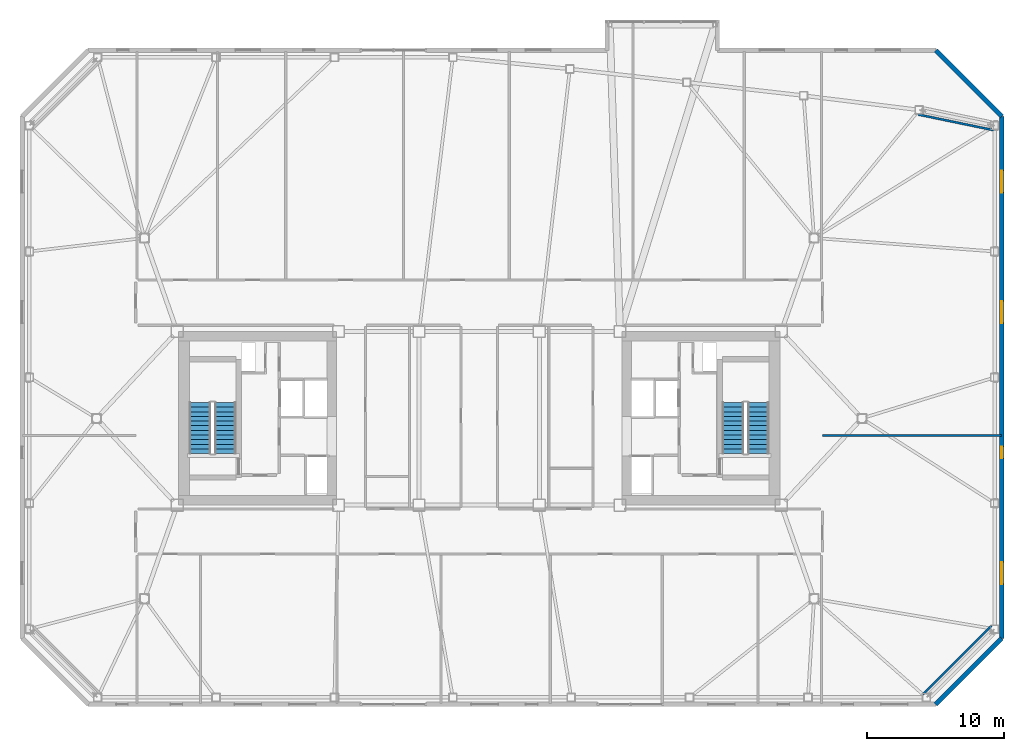
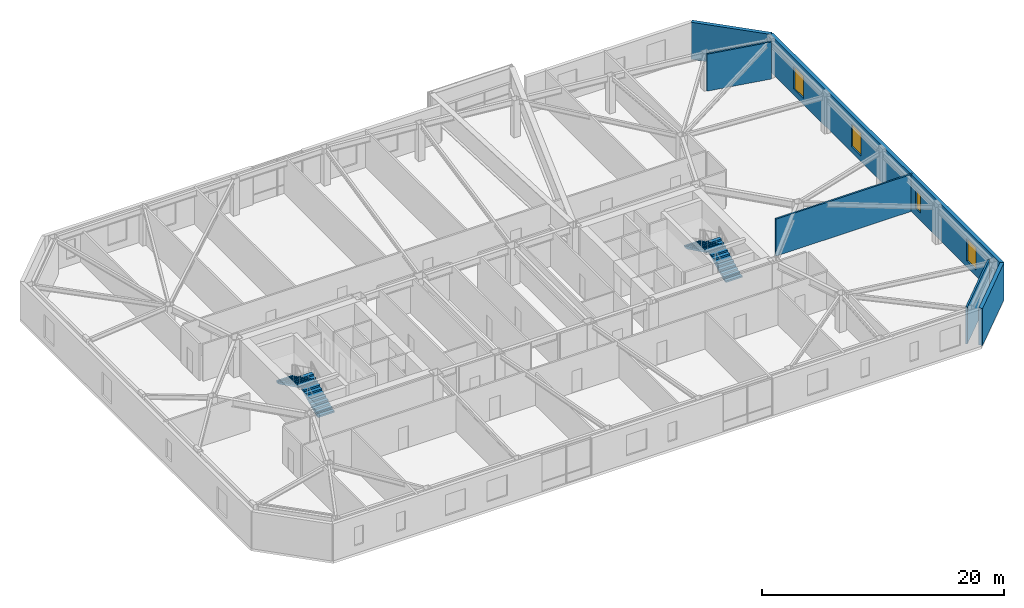
# One storey, part 16 of 20: 6 walls, 4 stair flights, 4 windows, 4 openings, 2 elements without a shape of their own.
"""IFC4 building model written with IfcOpenShell, lengths in metres."""

from ifc_helpers import new_model, si_unit, direction, frame, frame_2d, origin, place, context, subcontext, project, spatial, polyline, rectangle, outline, extrude, material, layer, layer_set, type_object, element, fill, aggregate, save


model = new_model("IFC4")

# Units and contexts
model_context = context("Model", 3, precision=1e-05, world=origin(), true_north=direction((0.0, 1.0)))
body_context = subcontext(model_context, "Body", "Model", "MODEL_VIEW")
ifc_project = project(units=[si_unit("LENGTHUNIT", "METRE"), si_unit("AREAUNIT", "SQUARE_METRE"), si_unit("VOLUMEUNIT", "CUBIC_METRE"), si_unit("PLANEANGLEUNIT", "RADIAN"), si_unit("MASSUNIT", "GRAM", prefix="KILO")], contexts=[model_context])

# Site, building, storey
site_placement = place(None, origin())
site = spatial("IfcSite", under=ifc_project, at=site_placement, CompositionType="ELEMENT")
building_placement = place(site_placement, origin())
building = spatial("IfcBuilding", under=site, at=building_placement, Name="Tavrogorsk Clinical Tower", CompositionType="ELEMENT")
storey_placement = place(building_placement, frame((0.0, 0.0, 176.199951171875)))
storey = spatial("IfcBuildingStorey", under=building, at=storey_placement, Name="L40", CompositionType="ELEMENT", Elevation=176.199951171875)

# Walls
ifc_material_1 = material(Name="Lightweight concrete blockwork B15", Category="masonry")
ifc_layer_1 = layer(ifc_material_1, 0.159912109375)
ifc_layer_set_1 = layer_set([ifc_layer_1], Name="Lightweight concrete blockwork B15")
wall_type_1 = type_object("IfcWallType", Name="PartitionWall_160", PredefinedType="PARTITIONING", material=ifc_layer_set_1)
wall_1_placement = place(storey_placement, frame((32.4794921875, -20.1796875, 0.0), z_axis=(0.0, 0.0, 1.0), x_axis=(0.707106781187, 0.707106781187, 0.0)))
element("IfcWall", 1, at=wall_1_placement, inside=storey, type_object=wall_type_1, Name="L40 Corner Exoskeleton Brace Furring Wall 1", PredefinedType="PARTITIONING", context=body_context, shape_type="SweptSolid", body=[
    extrude(rectangle(XDim=7.071044921875, YDim=0.159912109375, at=frame_2d((3.53564453125, 0.0))), origin(), (0.0, 0.0, 1.0), 3.739990234375),
])
wall_2_placement = place(storey_placement, frame((37.65087890625, 21.0869140625, 0.0), z_axis=(0.0, 0.0, 1.0), x_axis=(-0.979184618318, 0.202971631636, 0.0)))
element("IfcWall", 2, at=wall_2_placement, inside=storey, type_object=wall_type_1, Name="L40 Corner Exoskeleton Brace Furring Wall 2", PredefinedType="PARTITIONING", context=body_context, shape_type="SweptSolid", body=[
    extrude(rectangle(XDim=5.64599609375, YDim=0.159912109375, at=frame_2d((2.822998046875, 0.0))), origin(), (0.0, 0.0, 1.0), 3.739990234375),
])
wall_3_placement = place(storey_placement, frame((25.1298828125, -1.25, 0.0), z_axis=(0.0, 0.0, 1.0), x_axis=(1.0, 0.0, 0.0)))
element("IfcWall", 3, at=wall_3_placement, inside=storey, type_object=wall_type_1, Name="L40 E Wing Divider 1", PredefinedType="PARTITIONING", context=body_context, shape_type="SweptSolid", body=[
    extrude(rectangle(XDim=13.080078125, YDim=0.159912109375, at=frame_2d((6.5400390625, 0.0))), origin(), (0.0, 0.0, 1.0), 3.739990234375),
])

# Wall, openings, windows
ifc_material_2 = material(Name="Precast concrete B45 with limestone cladding", Category="masonry")
ifc_layer_2 = layer(ifc_material_2, 0.340087890625)
ifc_layer_set_2 = layer_set([ifc_layer_2], Name="Precast concrete B45 with limestone cladding")
wall_type_2 = type_object("IfcWallType", Name="PrecastLimestoneWall_340", PredefinedType="STANDARD", material=ifc_layer_set_2)
wall_4_placement = place(storey_placement, frame((38.22998046875, -16.10009765625, 0.0), z_axis=(0.0, 0.0, 1.0), x_axis=(0.0, 1.0, 0.0)))
wall_4 = element("IfcWall", 4, at=wall_4_placement, inside=storey, type_object=wall_type_2, Name="L40 E Pleated Limestone Wing Wall", PredefinedType="STANDARD", context=body_context, shape_type="SweptSolid", body=[
    extrude(rectangle(XDim=38.2001953125, YDim=0.340087890625, at=frame_2d((19.10009765625, 0.0))), origin(), (0.0, 0.0, 1.0), 3.739990234375),
])
opening_1_placement = place(wall_4_placement, frame((3.97509765625, 0.0, 0.580078125)))
opening_1 = element("IfcOpeningElement", 5, at=opening_1_placement, cuts=wall_4, Name="Opening WN-07", PredefinedType="OPENING", context=body_context, shape_type="SweptSolid", body=[
    extrude(rectangle(XDim=1.60009765625, YDim=2.300048828125, at=frame_2d((0.800048828125, 1.14990234375))), frame((0.0, 0.179931640625, 0.0), z_axis=(0.0, -1.0, 0.0), x_axis=(1.0, 0.0, 0.0)), (0.0, 0.0, 1.0), 0.360107421875),
])
opening_2_placement = place(wall_4_placement, frame((13.175048828125, 0.0, 0.75)))
opening_2 = element("IfcOpeningElement", 6, at=opening_2_placement, cuts=wall_4, Name="Opening WN-06", PredefinedType="OPENING", context=body_context, shape_type="SweptSolid", body=[
    extrude(rectangle(XDim=0.85009765625, YDim=1.85009765625, at=frame_2d((0.425048828125, 0.925048828125))), frame((0.0, 0.179931640625, 0.0), z_axis=(0.0, -1.0, 0.0), x_axis=(1.0, 0.0, 0.0)), (0.0, 0.0, 1.0), 0.360107421875),
])
opening_3_placement = place(wall_4_placement, frame((23.074951171875, 0.0, 0.580078125)))
opening_3 = element("IfcOpeningElement", 7, at=opening_3_placement, cuts=wall_4, Name="Opening WN-07", PredefinedType="OPENING", context=body_context, shape_type="SweptSolid", body=[
    extrude(rectangle(XDim=1.60009765625, YDim=2.300048828125, at=frame_2d((0.800048828125, 1.14990234375))), frame((0.0, 0.179931640625, 0.0), z_axis=(0.0, -1.0, 0.0), x_axis=(1.0, 0.0, 0.0)), (0.0, 0.0, 1.0), 0.360107421875),
])
opening_4_placement = place(wall_4_placement, frame((32.625, 0.0, 0.580078125)))
opening_4 = element("IfcOpeningElement", 8, at=opening_4_placement, cuts=wall_4, Name="Opening WN-07", PredefinedType="OPENING", context=body_context, shape_type="SweptSolid", body=[
    extrude(rectangle(XDim=1.60009765625, YDim=2.300048828125, at=frame_2d((0.800048828125, 1.14990234375))), frame((0.0, 0.179931640625, 0.0), z_axis=(0.0, -1.0, 0.0), x_axis=(1.0, 0.0, 0.0)), (0.0, 0.0, 1.0), 0.360107421875),
])
ifc_material_3 = material(Name="Thermally broken aluminium frame and triple IGU", Category="aluminium")
window_type_1 = type_object("IfcWindowType", Name="MullionSubWin_850x1850", PartitioningType="SINGLE_PANEL", PredefinedType="WINDOW", material=ifc_material_3)
window_1_placement = place(opening_2_placement, origin())
window_1 = element("IfcWindow", 9, at=window_1_placement, inside=storey, type_object=window_type_1, Name="L40 E Pleat Mullion Window 2A", OverallHeight=1.85009765625, OverallWidth=0.85009765625, PartitioningType="SINGLE_PANEL", PredefinedType="WINDOW", context=body_context, shape_type="SweptSolid", body=[
    extrude(rectangle(XDim=0.85009765625, YDim=1.85009765625, at=frame_2d((0.425048828125, 0.925048828125))), frame((0.0, 0.030029296875, 0.0), z_axis=(0.0, -1.0, 0.0), x_axis=(1.0, 0.0, 0.0)), (0.0, 0.0, 1.0), 0.06005859375),
])
fill(opening_2, window_1)
ifc_material_4 = material(Name="Thermally broken aluminium frame and triple IGU", Category="aluminium")
window_type_2 = type_object("IfcWindowType", Name="PleatSlotWin_1600x2300", PartitioningType="SINGLE_PANEL", PredefinedType="WINDOW", material=ifc_material_4)
window_2_placement = place(opening_1_placement, origin())
window_2 = element("IfcWindow", 10, at=window_2_placement, inside=storey, type_object=window_type_2, Name="L40 E Pleat Slot Window 1", OverallHeight=2.300048828125, OverallWidth=1.60009765625, PartitioningType="SINGLE_PANEL", PredefinedType="WINDOW", context=body_context, shape_type="SweptSolid", body=[
    extrude(rectangle(XDim=1.60009765625, YDim=2.300048828125, at=frame_2d((0.800048828125, 1.14990234375))), frame((0.0, 0.030029296875, 0.0), z_axis=(0.0, -1.0, 0.0), x_axis=(1.0, 0.0, 0.0)), (0.0, 0.0, 1.0), 0.06005859375),
])
fill(opening_1, window_2)
window_3_placement = place(opening_3_placement, origin())
window_3 = element("IfcWindow", 11, at=window_3_placement, inside=storey, type_object=window_type_2, Name="L40 E Pleat Slot Window 3", OverallHeight=2.300048828125, OverallWidth=1.60009765625, PartitioningType="SINGLE_PANEL", PredefinedType="WINDOW", context=body_context, shape_type="SweptSolid", body=[
    extrude(rectangle(XDim=1.60009765625, YDim=2.300048828125, at=frame_2d((0.800048828125, 1.14990234375))), frame((0.0, 0.030029296875, 0.0), z_axis=(0.0, -1.0, 0.0), x_axis=(1.0, 0.0, 0.0)), (0.0, 0.0, 1.0), 0.06005859375),
])
fill(opening_3, window_3)
window_4_placement = place(opening_4_placement, origin())
window_4 = element("IfcWindow", 12, at=window_4_placement, inside=storey, type_object=window_type_2, Name="L40 E Pleat Slot Window 4", OverallHeight=2.300048828125, OverallWidth=1.60009765625, PartitioningType="SINGLE_PANEL", PredefinedType="WINDOW", context=body_context, shape_type="SweptSolid", body=[
    extrude(rectangle(XDim=1.60009765625, YDim=2.300048828125, at=frame_2d((0.800048828125, 1.14990234375))), frame((0.0, 0.030029296875, 0.0), z_axis=(0.0, -1.0, 0.0), x_axis=(1.0, 0.0, 0.0)), (0.0, 0.0, 1.0), 0.06005859375),
])
fill(opening_4, window_4)

# Walls
for number, where, z_axis, x_axis, name in (
    (13, (33.39990234375, -20.929931640625, 0.0), (0.0, 0.0, 1.0), (0.707124652085, 0.707088909836, 0.0), "L40 Chamfered Corner Wall 1"),
    (14, (38.22998046875, 22.10009765625, 0.0), (0.0, 0.0, 1.0), (-0.707124652085, 0.707088909836, 0.0), "L40 Chamfered Corner Wall 2"),
):
    element("IfcWall", number, at=place(storey_placement, frame(where, z_axis=z_axis, x_axis=x_axis)), inside=storey, type_object=wall_type_2, Name=name, PredefinedType="STANDARD", context=body_context, shape_type="SweptSolid", body=[
        extrude(rectangle(XDim=6.83056640625, YDim=0.340087890625, at=frame_2d((3.415283203125, 0.0))), origin(), (0.0, 0.0, 1.0), 3.739990234375),
    ])

# Stair, stair flights
ifc_material_5 = material(Name="Concrete B60", Category="concrete")
stair_type = type_object("IfcStairType", Name="CoreStairAssembly", PredefinedType="HALF_TURN_STAIR", material=ifc_material_5)
stair_1_placement = place(storey_placement, origin())
stair_1 = element("IfcStair", 15, at=stair_1_placement, inside=storey, type_object=stair_type, Name="L40 ST-W", PredefinedType="HALF_TURN_STAIR")
ifc_material_6 = material(Name="Concrete B60", Category="concrete")
stair_flight_type = type_object("IfcStairFlightType", Name="CoreStairFlight", PredefinedType="STRAIGHT", material=ifc_material_6)
stair_flight_1_placement = place(storey_placement, frame((-18.574951171875, -2.574951171875, 0.0), z_axis=(0.0, 0.0, 1.0), x_axis=(0.0, 1.0, 0.0)))
stair_flight_1 = element("IfcStairFlight", 16, at=stair_flight_1_placement, type_object=stair_flight_type, Name="ST-W flight 1", NumberOfRisers=12, NumberOfTreads=11, PredefinedType="STRAIGHT", RiserHeight=0.166666667, TreadLength=0.34, context=body_context, shape_type="SweptSolid", body=[
    extrude(outline(polyline([(0.0, 0.0), (0.0, 0.166748046875), (0.340087890625, 0.166748046875), (0.340087890625, 0.333251953125), (0.679931640625, 0.333251953125), (0.679931640625, 0.5), (1.02001953125, 0.5), (1.02001953125, 0.666748046875), (1.360107421875, 0.666748046875), (1.360107421875, 0.833251953125), (1.699951171875, 0.833251953125), (1.699951171875, 1.0), (2.0400390625, 1.0), (2.0400390625, 1.166748046875), (2.3798828125, 1.166748046875), (2.3798828125, 1.333251953125), (2.719970703125, 1.333251953125), (2.719970703125, 1.5), (3.06005859375, 1.5), (3.06005859375, 1.666748046875), (3.39990234375, 1.666748046875), (3.39990234375, 1.833251953125), (3.739990234375, 1.833251953125), (3.739990234375, 2.0), (3.739990234375, 1.66650390625), (0.340576171875, 0.0), (0.0, 0.0)])), frame((0.0, 0.77490234375, 0.0), z_axis=(0.0, -1.0, 0.0), x_axis=(1.0, 0.0, 0.0)), (0.0, 0.0, 1.0), 1.550048828125),
])
stair_flight_2_placement = place(storey_placement, frame((-20.425048828125, 1.1650390625, 2.0), z_axis=(0.0, 0.0, 1.0), x_axis=(0.0, -1.0, 0.0)))
stair_flight_2 = element("IfcStairFlight", 17, at=stair_flight_2_placement, type_object=stair_flight_type, Name="ST-W flight 2", NumberOfRisers=12, NumberOfTreads=11, PredefinedType="STRAIGHT", RiserHeight=0.166666667, TreadLength=0.34, context=body_context, shape_type="SweptSolid", body=[
    extrude(outline(polyline([(0.0, 0.0), (0.0, 0.166748046875), (0.340087890625, 0.166748046875), (0.340087890625, 0.333251953125), (0.679931640625, 0.333251953125), (0.679931640625, 0.5), (1.02001953125, 0.5), (1.02001953125, 0.666748046875), (1.360107421875, 0.666748046875), (1.360107421875, 0.833251953125), (1.699951171875, 0.833251953125), (1.699951171875, 1.0), (2.0400390625, 1.0), (2.0400390625, 1.166748046875), (2.3798828125, 1.166748046875), (2.3798828125, 1.333251953125), (2.719970703125, 1.333251953125), (2.719970703125, 1.5), (3.06005859375, 1.5), (3.06005859375, 1.666748046875), (3.39990234375, 1.666748046875), (3.39990234375, 1.833251953125), (3.739990234375, 1.833251953125), (3.739990234375, 2.0), (3.739990234375, 1.66650390625), (0.340576171875, 0.0), (0.0, 0.0)])), frame((0.0, 0.77490234375, 0.0), z_axis=(0.0, -1.0, 0.0), x_axis=(1.0, 0.0, 0.0)), (0.0, 0.0, 1.0), 1.550048828125),
])
aggregate(stair_1, [stair_flight_1, stair_flight_2])

stair_2_placement = place(storey_placement, origin())
stair_2 = element("IfcStair", 18, at=stair_2_placement, inside=storey, type_object=stair_type, Name="L40 ST-E", PredefinedType="HALF_TURN_STAIR")
stair_flight_3_placement = place(storey_placement, frame((20.425048828125, -2.574951171875, 0.0), z_axis=(0.0, 0.0, 1.0), x_axis=(0.0, 1.0, 0.0)))
stair_flight_3 = element("IfcStairFlight", 19, at=stair_flight_3_placement, type_object=stair_flight_type, Name="ST-E flight 1", NumberOfRisers=12, NumberOfTreads=11, PredefinedType="STRAIGHT", RiserHeight=0.166666667, TreadLength=0.34, context=body_context, shape_type="SweptSolid", body=[
    extrude(outline(polyline([(0.0, 0.0), (0.0, 0.166748046875), (0.340087890625, 0.166748046875), (0.340087890625, 0.333251953125), (0.679931640625, 0.333251953125), (0.679931640625, 0.5), (1.02001953125, 0.5), (1.02001953125, 0.666748046875), (1.360107421875, 0.666748046875), (1.360107421875, 0.833251953125), (1.699951171875, 0.833251953125), (1.699951171875, 1.0), (2.0400390625, 1.0), (2.0400390625, 1.166748046875), (2.3798828125, 1.166748046875), (2.3798828125, 1.333251953125), (2.719970703125, 1.333251953125), (2.719970703125, 1.5), (3.06005859375, 1.5), (3.06005859375, 1.666748046875), (3.39990234375, 1.666748046875), (3.39990234375, 1.833251953125), (3.739990234375, 1.833251953125), (3.739990234375, 2.0), (3.739990234375, 1.66650390625), (0.340576171875, 0.0), (0.0, 0.0)])), frame((0.0, 0.77490234375, 0.0), z_axis=(0.0, -1.0, 0.0), x_axis=(1.0, 0.0, 0.0)), (0.0, 0.0, 1.0), 1.550048828125),
])
stair_flight_4_placement = place(storey_placement, frame((18.574951171875, 1.1650390625, 2.0), z_axis=(0.0, 0.0, 1.0), x_axis=(0.0, -1.0, 0.0)))
stair_flight_4 = element("IfcStairFlight", 20, at=stair_flight_4_placement, type_object=stair_flight_type, Name="ST-E flight 2", NumberOfRisers=12, NumberOfTreads=11, PredefinedType="STRAIGHT", RiserHeight=0.166666667, TreadLength=0.34, context=body_context, shape_type="SweptSolid", body=[
    extrude(outline(polyline([(0.0, 0.0), (0.0, 0.166748046875), (0.340087890625, 0.166748046875), (0.340087890625, 0.333251953125), (0.679931640625, 0.333251953125), (0.679931640625, 0.5), (1.02001953125, 0.5), (1.02001953125, 0.666748046875), (1.360107421875, 0.666748046875), (1.360107421875, 0.833251953125), (1.699951171875, 0.833251953125), (1.699951171875, 1.0), (2.0400390625, 1.0), (2.0400390625, 1.166748046875), (2.3798828125, 1.166748046875), (2.3798828125, 1.333251953125), (2.719970703125, 1.333251953125), (2.719970703125, 1.5), (3.06005859375, 1.5), (3.06005859375, 1.666748046875), (3.39990234375, 1.666748046875), (3.39990234375, 1.833251953125), (3.739990234375, 1.833251953125), (3.739990234375, 2.0), (3.739990234375, 1.66650390625), (0.340576171875, 0.0), (0.0, 0.0)])), frame((0.0, 0.77490234375, 0.0), z_axis=(0.0, -1.0, 0.0), x_axis=(1.0, 0.0, 0.0)), (0.0, 0.0, 1.0), 1.550048828125),
])
aggregate(stair_2, [stair_flight_3, stair_flight_4])

save(model, "model.ifc")
